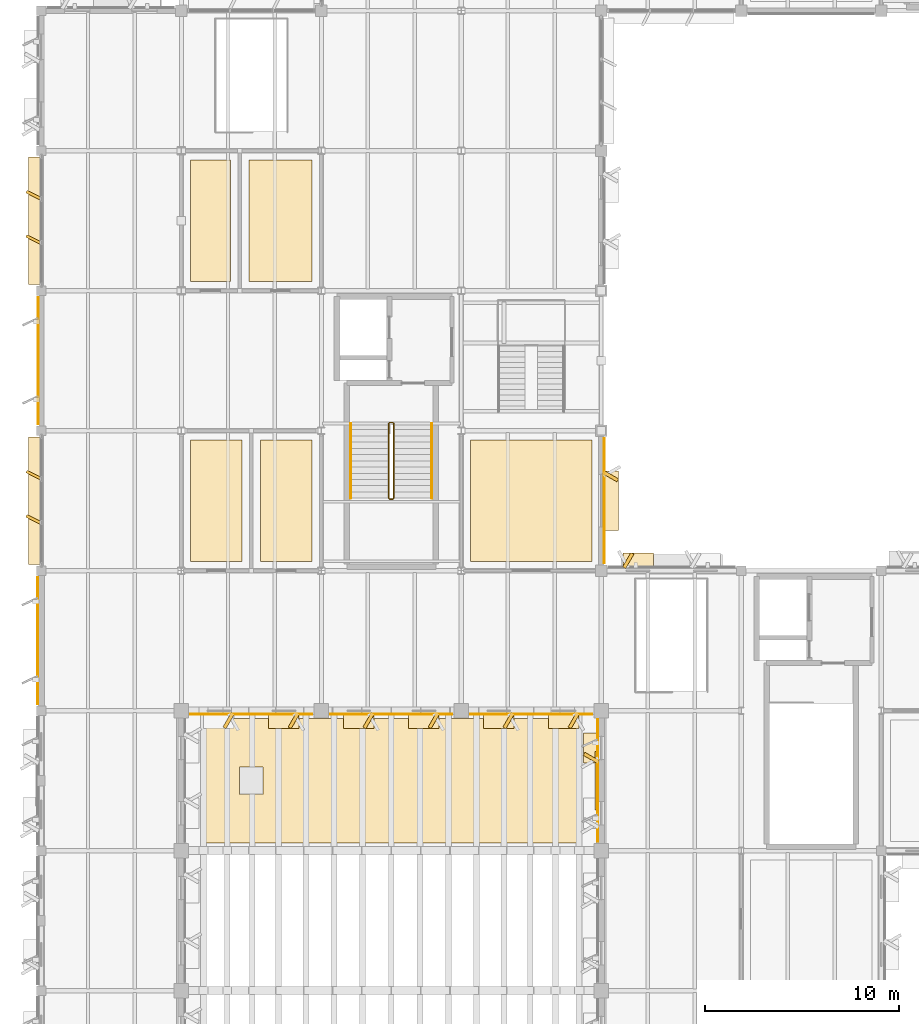
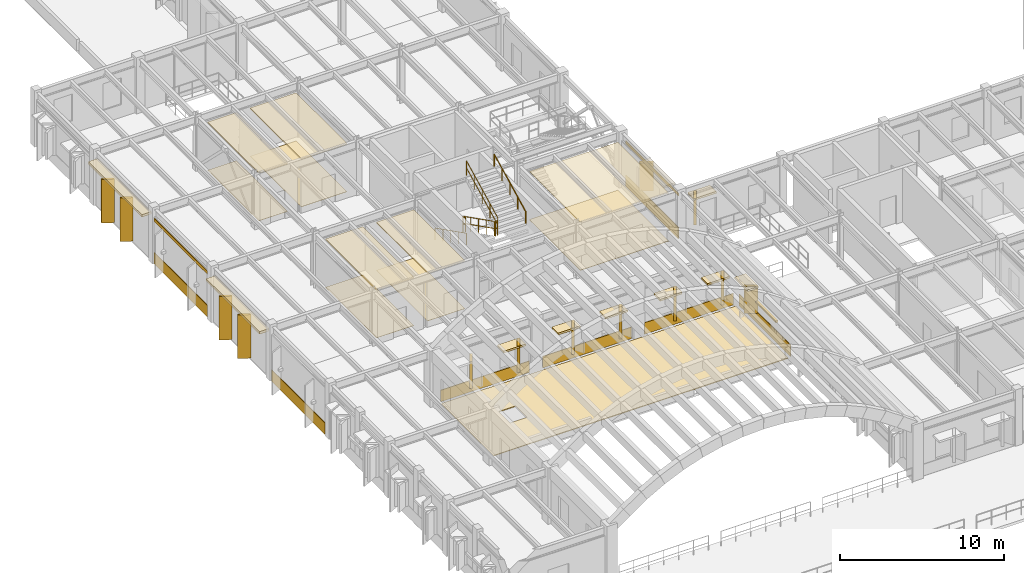
# One storey, part 72 of 85: 43 coverings, 6 railings, 1 shading device.
"""IFC4 building model written with IfcOpenShell, lengths in metres."""

from ifc_helpers import new_model, si_unit, direction, frame, frame_2d, origin, origin_2d, place, context, subcontext, project, spatial, polyline, rectangle, circle, outline, extrude, material, layer, layer_set, type_object, element, save


model = new_model("IFC4")

# Units and contexts
model_context = context("Model", 3, precision=1e-05, world=origin(), true_north=direction((0.0, 1.0)))
body_context = subcontext(model_context, "Body", "Model", "MODEL_VIEW")
ifc_project = project(units=[si_unit("LENGTHUNIT", "METRE"), si_unit("AREAUNIT", "SQUARE_METRE"), si_unit("VOLUMEUNIT", "CUBIC_METRE"), si_unit("PLANEANGLEUNIT", "RADIAN"), si_unit("MASSUNIT", "GRAM", prefix="KILO")], contexts=[model_context])

# Site, building, storey
site_placement = place(None, origin())
site = spatial("IfcSite", under=ifc_project, at=site_placement, CompositionType="ELEMENT")
building_placement = place(site_placement, origin())
building = spatial("IfcBuilding", under=site, at=building_placement, Name="Sillqori Civic Hall", CompositionType="ELEMENT")
storey_placement = place(building_placement, frame((0.0, 0.0, 9.89990234375)))
storey = spatial("IfcBuildingStorey", under=building, at=storey_placement, Name="L03", CompositionType="ELEMENT", Elevation=9.89990234375)

# Coverings
ifc_material_1 = material(Name="Perforated Acoustic Gypsum Board Ceiling", Category="gypsum")
ifc_layer_1 = layer(ifc_material_1, 0.030029296875)
ifc_layer_set_1 = layer_set([ifc_layer_1], Name="Perforated Acoustic Gypsum Board Ceiling")
covering_type_1 = type_object("IfcCoveringType", Name="COV-CEIL-GYP", PredefinedType="CEILING", material=ifc_layer_set_1)
covering_1_placement = place(storey_placement, frame((0.0, 0.0, 3.591064453125)))
element("IfcCovering", 1, at=covering_1_placement, inside=storey, type_object=covering_type_1, Name="Councillors Office Suite West acoustic ceiling", PredefinedType="CEILING", context=body_context, shape_type="SweptSolid", body=[
    extrude(outline(polyline([(29.280029296875, 50.8798828125), (35.52001953125, 50.8798828125), (35.52001953125, 57.1201171875), (29.280029296875, 57.1201171875), (29.280029296875, 50.8798828125)])), origin(), (0.0, 0.0, 1.0), 0.030029296875),
])
ifc_material_2 = material(Name="Perforated Metal Coffer Panel 64", Category="aluminium")
ifc_layer_2 = layer(ifc_material_2, 0.06396484375)
ifc_layer_set_2 = layer_set([ifc_layer_2], Name="Perforated Metal Coffer Panel 64")
covering_type_2 = type_object("IfcCoveringType", Name="COV-CEIL-M64", PredefinedType="CEILING", material=ifc_layer_set_2)
covering_2_placement = place(storey_placement, frame((0.0, 0.0, 3.55712890625)))
element("IfcCovering", 2, at=covering_2_placement, inside=storey, type_object=covering_type_2, Name="L03 Public Male WC acoustic ceiling", PredefinedType="CEILING", context=body_context, shape_type="SweptSolid", body=[
    extrude(outline(polyline([(14.8798828125, 50.8798828125), (17.52001953125, 50.8798828125), (17.52001953125, 57.1201171875), (14.8798828125, 57.1201171875), (14.8798828125, 50.8798828125)])), origin(), (0.0, 0.0, 1.0), 0.06396484375),
])
ifc_material_3 = material(Name="Perforated Metal Coffer Panel 70", Category="aluminium")
ifc_layer_3 = layer(ifc_material_3, 0.070068359375)
ifc_layer_set_3 = layer_set([ifc_layer_3], Name="Perforated Metal Coffer Panel 70")
covering_type_3 = type_object("IfcCoveringType", Name="COV-CEIL-M70", PredefinedType="CEILING", material=ifc_layer_set_3)
covering_3_placement = place(storey_placement, frame((0.0, 0.0, 3.551025390625)))
element("IfcCovering", 3, at=covering_3_placement, inside=storey, type_object=covering_type_3, Name="L03 Public Female WC acoustic ceiling", PredefinedType="CEILING", context=body_context, shape_type="SweptSolid", body=[
    extrude(outline(polyline([(18.47998046875, 50.8798828125), (21.1201171875, 50.8798828125), (21.1201171875, 57.1201171875), (18.47998046875, 57.1201171875), (18.47998046875, 50.8798828125)])), origin(), (0.0, 0.0, 1.0), 0.070068359375),
])
ifc_material_4 = material(Name="Acoustic Wool Metal Plank 76", Category="aluminium")
ifc_layer_4 = layer(ifc_material_4, 0.075927734375)
ifc_layer_set_4 = layer_set([ifc_layer_4], Name="Acoustic Wool Metal Plank 76")
covering_type_4 = type_object("IfcCoveringType", Name="COV-CEIL-M76", PredefinedType="CEILING", material=ifc_layer_set_4)
covering_4_placement = place(storey_placement, frame((0.0, 0.0, 3.545166015625)))
element("IfcCovering", 4, at=covering_4_placement, inside=storey, type_object=covering_type_4, Name="L03 Accessible WC acoustic ceiling", PredefinedType="CEILING", context=body_context, shape_type="SweptSolid", body=[
    extrude(outline(polyline([(14.8798828125, 65.280029296875), (16.919921875, 65.280029296875), (16.919921875, 71.52001953125), (14.8798828125, 71.52001953125), (14.8798828125, 65.280029296875)])), origin(), (0.0, 0.0, 1.0), 0.075927734375),
])
ifc_material_5 = material(Name="Chamber Acoustic Coffer Liner 84", Category="timber")
ifc_layer_5 = layer(ifc_material_5, 0.083984375)
ifc_layer_set_5 = layer_set([ifc_layer_5], Name="Chamber Acoustic Coffer Liner 84")
covering_type_5 = type_object("IfcCoveringType", Name="COV-CEIL-M84", PredefinedType="CEILING", material=ifc_layer_set_5)
covering_5_placement = place(storey_placement, frame((0.0, 0.0, 3.537109375)))
element("IfcCovering", 5, at=covering_5_placement, inside=storey, type_object=covering_type_5, Name="L03 Staff Sanitary and Cleaners Room acoustic ceiling", PredefinedType="CEILING", context=body_context, shape_type="SweptSolid", body=[
    extrude(outline(polyline([(17.8798828125, 65.280029296875), (21.1201171875, 65.280029296875), (21.1201171875, 71.52001953125), (17.8798828125, 71.52001953125), (17.8798828125, 65.280029296875)])), origin(), (0.0, 0.0, 1.0), 0.083984375),
])
ifc_material_6 = material(Name="Cochabamba Honed Limestone Cladding", Category="masonry")
ifc_layer_6 = layer(ifc_material_6, 0.044921875)
ifc_layer_set_6 = layer_set([ifc_layer_6], Name="Cochabamba Honed Limestone Cladding")
covering_type_6 = type_object("IfcCoveringType", Name="COV-CLAD-LIME", PredefinedType="CLADDING", material=ifc_layer_set_6)
covering_6_placement = place(storey_placement, frame((7.010009765625, 43.530029296875, 0.0400390625), z_axis=(0.0, 0.0, 1.0), x_axis=(0.0, 1.0, 0.0)))
element("IfcCovering", 6, at=covering_6_placement, inside=storey, type_object=covering_type_6, Name="L03 limestone spandrel cladding L03-01-06-W", PredefinedType="CLADDING", context=body_context, shape_type="SweptSolid", body=[
    extrude(rectangle(XDim=6.5400390625, YDim=0.044921875, at=frame_2d((3.27001953125, 0.0))), origin(), (0.0, 0.0, 1.0), 0.860107421875),
])
covering_7_placement = place(storey_placement, frame((6.8798828125, 50.72998046875, 3.30712890625), z_axis=(0.0, 0.0, 1.0), x_axis=(0.0, 1.0, 0.0)))
element("IfcCovering", 7, at=covering_7_placement, inside=storey, type_object=covering_type_6, Name="L03 curtain-wall limestone solar hood L03-01-07-W", PredefinedType="CLADDING", context=body_context, shape_type="SweptSolid", body=[
    extrude(rectangle(XDim=6.5400390625, YDim=0.679931640625, at=frame_2d((3.27001953125, 0.0))), origin(), (0.0, 0.0, 1.0), 0.179931640625),
])
for number, where, z_axis, x_axis, name in (
    (8, (7.14990234375, 52.861083984375, 0.06005859375), (0.0, 0.0, 1.0), (-0.894487846579, 0.44709226377, 0.0), "L03 curtain-wall angled stone fin L03-01-07-W.1"),
    (9, (7.14990234375, 55.138916015625, 0.06005859375), (0.0, 0.0, 1.0), (-0.894366527193, 0.447334902547, 0.0), "L03 curtain-wall angled stone fin L03-01-07-W.2"),
):
    element("IfcCovering", number, at=place(storey_placement, frame(where, z_axis=z_axis, x_axis=x_axis)), inside=storey, type_object=covering_type_6, Name=name, PredefinedType="CLADDING", context=body_context, shape_type="SweptSolid", body=[
        extrude(rectangle(XDim=0.804931640625, YDim=0.139892578125, at=frame_2d((0.40234375, 0.0))), origin(), (0.0, 0.0, 1.0), 3.2470703125),
    ])
covering_8_placement = place(storey_placement, frame((7.050048828125, 57.929931640625, 0.0400390625), z_axis=(0.0, 0.0, 1.0), x_axis=(0.0, 1.0, 0.0)))
element("IfcCovering", 10, at=covering_8_placement, inside=storey, type_object=covering_type_6, Name="L03 limestone spandrel cladding L03-01-08-W", PredefinedType="CLADDING", context=body_context, shape_type="SweptSolid", body=[
    extrude(rectangle(XDim=6.5400390625, YDim=0.044921875, at=frame_2d((3.27001953125, 0.0))), origin(), (0.0, 0.0, 1.0), 0.860107421875),
])
covering_9_placement = place(storey_placement, frame((7.050048828125, 57.929931640625, 3.22021484375), z_axis=(0.0, 0.0, 1.0), x_axis=(0.0, 1.0, 0.0)))
element("IfcCovering", 11, at=covering_9_placement, inside=storey, type_object=covering_type_6, Name="L03 limestone frieze cladding L03-01-08-W", PredefinedType="CLADDING", context=body_context, shape_type="SweptSolid", body=[
    extrude(rectangle(XDim=6.5400390625, YDim=0.044921875, at=frame_2d((3.27001953125, 0.0))), origin(), (0.0, 0.0, 1.0), 0.226806640625),
])
covering_10_placement = place(storey_placement, frame((6.8798828125, 65.1298828125, 3.30712890625), z_axis=(0.0, 0.0, 1.0), x_axis=(0.0, 1.0, 0.0)))
element("IfcCovering", 12, at=covering_10_placement, inside=storey, type_object=covering_type_6, Name="L03 curtain-wall limestone solar hood L03-01-09-W", PredefinedType="CLADDING", context=body_context, shape_type="SweptSolid", body=[
    extrude(rectangle(XDim=6.5400390625, YDim=0.679931640625, at=frame_2d((3.27001953125, 0.0))), origin(), (0.0, 0.0, 1.0), 0.179931640625),
])
for number, where, z_axis, x_axis, name in (
    (13, (7.14990234375, 67.260986328125, 0.06005859375), (0.0, 0.0, 1.0), (-0.894366527193, 0.447334902547, 0.0), "L03 curtain-wall angled stone fin L03-01-09-W.1"),
    (14, (7.14990234375, 69.5390625, 0.06005859375), (0.0, 0.0, 1.0), (-0.894487846579, 0.44709226377, 0.0), "L03 curtain-wall angled stone fin L03-01-09-W.2"),
):
    element("IfcCovering", number, at=place(storey_placement, frame(where, z_axis=z_axis, x_axis=x_axis)), inside=storey, type_object=covering_type_6, Name=name, PredefinedType="CLADDING", context=body_context, shape_type="SweptSolid", body=[
        extrude(rectangle(XDim=0.804931640625, YDim=0.139892578125, at=frame_2d((0.40234375, 0.0))), origin(), (0.0, 0.0, 1.0), 3.2470703125),
    ])
covering_11_placement = place(storey_placement, frame((21.14501953125, 43.010009765625, 0.0400390625), z_axis=(0.0, 0.0, 1.0), x_axis=(-1.0, 0.0, 0.0)))
element("IfcCovering", 15, at=covering_11_placement, inside=storey, type_object=covering_type_6, Name="L03 limestone spandrel cladding L03-02-06-S", PredefinedType="CLADDING", context=body_context, shape_type="SweptSolid", body=[
    extrude(rectangle(XDim=6.2900390625, YDim=0.044921875, at=frame_2d((3.14501953125, 0.0))), origin(), (0.0, 0.0, 1.0), 0.860107421875),
])
covering_12_placement = place(storey_placement, frame((20.39697265625, 43.050048828125, 0.830078125), z_axis=(0.0, 0.0, 1.0), x_axis=(-0.500062241894, -0.865989465428, 0.0)))
element("IfcCovering", 16, at=covering_12_placement, inside=storey, type_object=covering_type_6, Name="Sawtooth limestone angled reveal cheek L03-02-06-S.1", PredefinedType="CLADDING", context=body_context, shape_type="SweptSolid", body=[
    extrude(rectangle(XDim=0.85009765625, YDim=0.179931640625, at=frame_2d((0.425048828125, 0.0))), origin(), (0.0, 0.0, 1.0), 2.0),
])
covering_13_placement = place(storey_placement, frame((20.45703125, 42.669921875, 2.690185546875), z_axis=(0.0, 0.0, 1.0), x_axis=(-1.0, 0.0, 0.0)))
element("IfcCovering", 17, at=covering_13_placement, inside=storey, type_object=covering_type_6, Name="Sawtooth limestone window hood L03-02-06-S.1", PredefinedType="CLADDING", context=body_context, shape_type="SweptSolid", body=[
    extrude(rectangle(XDim=1.56005859375, YDim=0.780029296875, at=frame_2d((0.780029296875, 0.0))), origin(), (0.0, 0.0, 1.0), 0.139892578125),
])
covering_14_placement = place(storey_placement, frame((17.04296875, 43.050048828125, 0.830078125), z_axis=(0.0, 0.0, 1.0), x_axis=(-0.500062241894, -0.865989465428, 0.0)))
element("IfcCovering", 18, at=covering_14_placement, inside=storey, type_object=covering_type_6, Name="Sawtooth limestone angled reveal cheek L03-02-06-S.2", PredefinedType="CLADDING", context=body_context, shape_type="SweptSolid", body=[
    extrude(rectangle(XDim=0.85009765625, YDim=0.179931640625, at=frame_2d((0.425048828125, 0.0))), origin(), (0.0, 0.0, 1.0), 2.0),
])
covering_15_placement = place(storey_placement, frame((28.344970703125, 43.010009765625, 0.0400390625), z_axis=(0.0, 0.0, 1.0), x_axis=(-1.0, 0.0, 0.0)))
element("IfcCovering", 19, at=covering_15_placement, inside=storey, type_object=covering_type_6, Name="L03 limestone spandrel cladding L03-03-06-S", PredefinedType="CLADDING", context=body_context, shape_type="SweptSolid", body=[
    extrude(rectangle(XDim=6.2900390625, YDim=0.044921875, at=frame_2d((3.14501953125, 0.0))), origin(), (0.0, 0.0, 1.0), 0.860107421875),
])
covering_16_placement = place(storey_placement, frame((27.596923828125, 43.050048828125, 0.830078125), z_axis=(0.0, 0.0, 1.0), x_axis=(-0.499846793097, -0.866113839764, 0.0)))
element("IfcCovering", 20, at=covering_16_placement, inside=storey, type_object=covering_type_6, Name="Sawtooth limestone angled reveal cheek L03-03-06-S.1", PredefinedType="CLADDING", context=body_context, shape_type="SweptSolid", body=[
    extrude(rectangle(XDim=0.849853515625, YDim=0.179931640625, at=frame_2d((0.4248046875, 0.0))), origin(), (0.0, 0.0, 1.0), 2.0),
])
covering_17_placement = place(storey_placement, frame((27.656982421875, 42.669921875, 2.690185546875), z_axis=(0.0, 0.0, 1.0), x_axis=(-1.0, 0.0, 0.0)))
element("IfcCovering", 21, at=covering_17_placement, inside=storey, type_object=covering_type_6, Name="Sawtooth limestone window hood L03-03-06-S.1", PredefinedType="CLADDING", context=body_context, shape_type="SweptSolid", body=[
    extrude(rectangle(XDim=1.56005859375, YDim=0.780029296875, at=frame_2d((0.780029296875, 0.0))), origin(), (0.0, 0.0, 1.0), 0.139892578125),
])
covering_18_placement = place(storey_placement, frame((24.242919921875, 43.050048828125, 0.830078125), z_axis=(0.0, 0.0, 1.0), x_axis=(-0.499846793097, -0.866113839764, 0.0)))
element("IfcCovering", 22, at=covering_18_placement, inside=storey, type_object=covering_type_6, Name="Sawtooth limestone angled reveal cheek L03-03-06-S.2", PredefinedType="CLADDING", context=body_context, shape_type="SweptSolid", body=[
    extrude(rectangle(XDim=0.849853515625, YDim=0.179931640625, at=frame_2d((0.4248046875, 0.0))), origin(), (0.0, 0.0, 1.0), 2.0),
])
covering_19_placement = place(storey_placement, frame((24.302978515625, 42.669921875, 2.690185546875), z_axis=(0.0, 0.0, 1.0), x_axis=(-1.0, 0.0, 0.0)))
element("IfcCovering", 23, at=covering_19_placement, inside=storey, type_object=covering_type_6, Name="Sawtooth limestone window hood L03-03-06-S.2", PredefinedType="CLADDING", context=body_context, shape_type="SweptSolid", body=[
    extrude(rectangle(XDim=1.56005859375, YDim=0.780029296875, at=frame_2d((0.780029296875, 0.0))), origin(), (0.0, 0.0, 1.0), 0.139892578125),
])
covering_20_placement = place(storey_placement, frame((35.544921875, 43.010009765625, 0.0400390625), z_axis=(0.0, 0.0, 1.0), x_axis=(-1.0, 0.0, 0.0)))
element("IfcCovering", 24, at=covering_20_placement, inside=storey, type_object=covering_type_6, Name="L03 limestone spandrel cladding L03-04-06-S", PredefinedType="CLADDING", context=body_context, shape_type="SweptSolid", body=[
    extrude(rectangle(XDim=6.2900390625, YDim=0.044921875, at=frame_2d((3.14501953125, 0.0))), origin(), (0.0, 0.0, 1.0), 0.860107421875),
])
covering_21_placement = place(storey_placement, frame((34.797119140625, 43.050048828125, 0.830078125), z_axis=(0.0, 0.0, 1.0), x_axis=(-0.500062241894, -0.865989465428, 0.0)))
element("IfcCovering", 25, at=covering_21_placement, inside=storey, type_object=covering_type_6, Name="Sawtooth limestone angled reveal cheek L03-04-06-S.1", PredefinedType="CLADDING", context=body_context, shape_type="SweptSolid", body=[
    extrude(rectangle(XDim=0.85009765625, YDim=0.179931640625, at=frame_2d((0.425048828125, 0.0))), origin(), (0.0, 0.0, 1.0), 2.0),
])
covering_22_placement = place(storey_placement, frame((34.85693359375, 42.669921875, 2.690185546875), z_axis=(0.0, 0.0, 1.0), x_axis=(-1.0, 0.0, 0.0)))
element("IfcCovering", 26, at=covering_22_placement, inside=storey, type_object=covering_type_6, Name="Sawtooth limestone window hood L03-04-06-S.1", PredefinedType="CLADDING", context=body_context, shape_type="SweptSolid", body=[
    extrude(rectangle(XDim=1.559814453125, YDim=0.780029296875, at=frame_2d((0.77978515625, 0.0))), origin(), (0.0, 0.0, 1.0), 0.139892578125),
])
covering_23_placement = place(storey_placement, frame((31.443115234375, 43.050048828125, 0.830078125), z_axis=(0.0, 0.0, 1.0), x_axis=(-0.500062241894, -0.865989465428, 0.0)))
element("IfcCovering", 27, at=covering_23_placement, inside=storey, type_object=covering_type_6, Name="Sawtooth limestone angled reveal cheek L03-04-06-S.2", PredefinedType="CLADDING", context=body_context, shape_type="SweptSolid", body=[
    extrude(rectangle(XDim=0.85009765625, YDim=0.179931640625, at=frame_2d((0.425048828125, 0.0))), origin(), (0.0, 0.0, 1.0), 2.0),
])
covering_24_placement = place(storey_placement, frame((31.5029296875, 42.669921875, 2.690185546875), z_axis=(0.0, 0.0, 1.0), x_axis=(-1.0, 0.0, 0.0)))
element("IfcCovering", 28, at=covering_24_placement, inside=storey, type_object=covering_type_6, Name="Sawtooth limestone window hood L03-04-06-S.2", PredefinedType="CLADDING", context=body_context, shape_type="SweptSolid", body=[
    extrude(rectangle(XDim=1.559814453125, YDim=0.780029296875, at=frame_2d((0.77978515625, 0.0))), origin(), (0.0, 0.0, 1.0), 0.139892578125),
])
covering_25_placement = place(storey_placement, frame((36.14990234375, 57.219970703125, 0.0400390625), z_axis=(0.0, 0.0, 1.0), x_axis=(0.0, -1.0, 0.0)))
element("IfcCovering", 29, at=covering_25_placement, inside=storey, type_object=covering_type_6, Name="L03 limestone spandrel cladding L03-04-07-E", PredefinedType="CLADDING", context=body_context, shape_type="SweptSolid", body=[
    extrude(rectangle(XDim=6.43994140625, YDim=0.044921875, at=frame_2d((3.219970703125, 0.0))), origin(), (0.0, 0.0, 1.0), 0.860107421875),
])
covering_26_placement = place(storey_placement, frame((36.14990234375, 57.219970703125, 3.22021484375), z_axis=(0.0, 0.0, 1.0), x_axis=(0.0, -1.0, 0.0)))
element("IfcCovering", 30, at=covering_26_placement, inside=storey, type_object=covering_type_6, Name="L03 limestone frieze cladding L03-04-07-E", PredefinedType="CLADDING", context=body_context, shape_type="SweptSolid", body=[
    extrude(rectangle(XDim=6.43994140625, YDim=0.044921875, at=frame_2d((3.219970703125, 0.0))), origin(), (0.0, 0.0, 1.0), 0.226806640625),
])
covering_27_placement = place(storey_placement, frame((36.110107421875, 55.469970703125, 0.830078125), z_axis=(0.0, 0.0, 1.0), x_axis=(0.865989465428, -0.500062241894, 0.0)))
element("IfcCovering", 31, at=covering_27_placement, inside=storey, type_object=covering_type_6, Name="Sawtooth limestone angled reveal cheek L03-04-07-E.1", PredefinedType="CLADDING", context=body_context, shape_type="SweptSolid", body=[
    extrude(rectangle(XDim=0.85009765625, YDim=0.179931640625, at=frame_2d((0.425048828125, 0.0))), origin(), (0.0, 0.0, 1.0), 2.10009765625),
])
covering_28_placement = place(storey_placement, frame((36.489990234375, 55.530029296875, 2.7900390625), z_axis=(0.0, 0.0, 1.0), x_axis=(0.0, -1.0, 0.0)))
element("IfcCovering", 32, at=covering_28_placement, inside=storey, type_object=covering_type_6, Name="Sawtooth limestone window hood L03-04-07-E.1", PredefinedType="CLADDING", context=body_context, shape_type="SweptSolid", body=[
    extrude(rectangle(XDim=3.06005859375, YDim=0.780029296875, at=frame_2d((1.530029296875, 0.0))), origin(), (0.0, 0.0, 1.0), 0.14013671875),
])
covering_29_placement = place(storey_placement, frame((35.81005859375, 36.455078125, 0.0400390625), z_axis=(0.0, 0.0, 1.0), x_axis=(0.0, 1.0, 0.0)))
element("IfcCovering", 33, at=covering_29_placement, inside=storey, type_object=covering_type_6, Name="L03 limestone spandrel cladding L03-05-05-W", PredefinedType="CLADDING", context=body_context, shape_type="SweptSolid", body=[
    extrude(rectangle(XDim=6.2900390625, YDim=0.044921875, at=frame_2d((3.14501953125, 0.0))), origin(), (0.0, 0.0, 1.0), 0.860107421875),
])
covering_30_placement = place(storey_placement, frame((35.85009765625, 40.556884765625, 0.830078125), z_axis=(0.0, 0.0, 1.0), x_axis=(-0.865989465428, 0.500062241894, 0.0)))
element("IfcCovering", 34, at=covering_30_placement, inside=storey, type_object=covering_type_6, Name="Sawtooth limestone angled reveal cheek L03-05-05-W.2", PredefinedType="CLADDING", context=body_context, shape_type="SweptSolid", body=[
    extrude(rectangle(XDim=0.85009765625, YDim=0.179931640625, at=frame_2d((0.425048828125, 0.0))), origin(), (0.0, 0.0, 1.0), 2.0),
])
covering_31_placement = place(storey_placement, frame((35.469970703125, 40.4970703125, 2.690185546875), z_axis=(0.0, 0.0, 1.0), x_axis=(0.0, 1.0, 0.0)))
element("IfcCovering", 35, at=covering_31_placement, inside=storey, type_object=covering_type_6, Name="Sawtooth limestone window hood L03-05-05-W.2", PredefinedType="CLADDING", context=body_context, shape_type="SweptSolid", body=[
    extrude(rectangle(XDim=1.559814453125, YDim=0.780029296875, at=frame_2d((0.77978515625, 0.0))), origin(), (0.0, 0.0, 1.0), 0.139892578125),
])
covering_32_placement = place(storey_placement, frame((37.176025390625, 50.550048828125, 0.830078125), z_axis=(0.0, 0.0, 1.0), x_axis=(0.500062241894, 0.865989465428, 0.0)))
element("IfcCovering", 36, at=covering_32_placement, inside=storey, type_object=covering_type_6, Name="Sawtooth limestone angled reveal cheek L03-05-06-N.1", PredefinedType="CLADDING", context=body_context, shape_type="SweptSolid", body=[
    extrude(rectangle(XDim=0.85009765625, YDim=0.179931640625, at=frame_2d((0.425048828125, 0.0))), origin(), (0.0, 0.0, 1.0), 2.0),
])
covering_33_placement = place(storey_placement, frame((37.115966796875, 50.929931640625, 2.690185546875), z_axis=(0.0, 0.0, 1.0), x_axis=(1.0, 0.0, 0.0)))
element("IfcCovering", 37, at=covering_33_placement, inside=storey, type_object=covering_type_6, Name="Sawtooth limestone window hood L03-05-06-N.1", PredefinedType="CLADDING", context=body_context, shape_type="SweptSolid", body=[
    extrude(rectangle(XDim=1.56005859375, YDim=0.780029296875, at=frame_2d((0.780029296875, 0.0))), origin(), (0.0, 0.0, 1.0), 0.139892578125),
])
ifc_material_7 = material(Name="Slip-Resistant R11 Porcelain Tile", Category="ceramic")
ifc_layer_7 = layer(ifc_material_7, 0.02001953125)
ifc_layer_set_7 = layer_set([ifc_layer_7], Name="Slip-Resistant R11 Porcelain Tile")
covering_type_7 = type_object("IfcCoveringType", Name="COV-FLR-POR", PredefinedType="FLOORING", material=ifc_layer_set_7)
covering_34_placement = place(storey_placement, origin())
element("IfcCovering", 38, at=covering_34_placement, inside=storey, type_object=covering_type_7, Name="L03 Public Male WC floor finish", PredefinedType="FLOORING", context=body_context, shape_type="SweptSolid", body=[
    extrude(outline(polyline([(14.8798828125, 50.8798828125), (17.52001953125, 50.8798828125), (17.52001953125, 57.1201171875), (14.8798828125, 57.1201171875), (14.8798828125, 50.8798828125)])), origin(), (0.0, 0.0, 1.0), 0.02001953125),
])
covering_35_placement = place(storey_placement, origin())
element("IfcCovering", 39, at=covering_35_placement, inside=storey, type_object=covering_type_7, Name="L03 Public Female WC floor finish", PredefinedType="FLOORING", context=body_context, shape_type="SweptSolid", body=[
    extrude(outline(polyline([(18.47998046875, 50.8798828125), (21.1201171875, 50.8798828125), (21.1201171875, 57.1201171875), (18.47998046875, 57.1201171875), (18.47998046875, 50.8798828125)])), origin(), (0.0, 0.0, 1.0), 0.02001953125),
])
covering_36_placement = place(storey_placement, origin())
element("IfcCovering", 40, at=covering_36_placement, inside=storey, type_object=covering_type_7, Name="L03 Accessible WC floor finish", PredefinedType="FLOORING", context=body_context, shape_type="SweptSolid", body=[
    extrude(outline(polyline([(14.8798828125, 65.280029296875), (16.919921875, 65.280029296875), (16.919921875, 71.52001953125), (14.8798828125, 71.52001953125), (14.8798828125, 65.280029296875)])), origin(), (0.0, 0.0, 1.0), 0.02001953125),
])
covering_37_placement = place(storey_placement, origin())
element("IfcCovering", 41, at=covering_37_placement, inside=storey, type_object=covering_type_7, Name="L03 Staff Sanitary and Cleaners Room floor finish", PredefinedType="FLOORING", context=body_context, shape_type="SweptSolid", body=[
    extrude(outline(polyline([(17.8798828125, 65.280029296875), (21.1201171875, 65.280029296875), (21.1201171875, 71.52001953125), (17.8798828125, 71.52001953125), (17.8798828125, 65.280029296875)])), origin(), (0.0, 0.0, 1.0), 0.02001953125),
])
ifc_material_8 = material(Name="Honed Cochabamba Limestone Terrazzo", Category="masonry")
ifc_layer_8 = layer(ifc_material_8, 0.031982421875)
ifc_layer_set_8 = layer_set([ifc_layer_8], Name="Honed Cochabamba Limestone Terrazzo")
covering_type_8 = type_object("IfcCoveringType", Name="COV-FLR-TRZ", PredefinedType="FLOORING", material=ifc_layer_set_8)
covering_38_placement = place(storey_placement, origin())
element("IfcCovering", 42, at=covering_38_placement, inside=storey, type_object=covering_type_8, Name="Councillors Office Suite West floor finish", PredefinedType="FLOORING", context=body_context, shape_type="SweptSolid", body=[
    extrude(outline(polyline([(29.280029296875, 50.8798828125), (35.52001953125, 50.8798828125), (35.52001953125, 57.1201171875), (29.280029296875, 57.1201171875), (29.280029296875, 50.8798828125)])), origin(), (0.0, 0.0, 1.0), 0.031982421875),
])
ifc_material_9 = material(Name="Insulated Standing-Seam Solar Roof Membrane", Category="membrane")
ifc_layer_9 = layer(ifc_material_9, 0.054931640625)
ifc_layer_set_9 = layer_set([ifc_layer_9], Name="Insulated Standing-Seam Solar Roof Membrane")
covering_type_9 = type_object("IfcCoveringType", Name="COV-ROOF-TPO", PredefinedType="ROOFING", material=ifc_layer_set_9)
covering_39_placement = place(storey_placement, origin())
element("IfcCovering", 43, at=covering_39_placement, inside=storey, type_object=covering_type_9, Name="L03 insulated TPO roof membrane ROOF-FLAT-L02-2", PredefinedType="ROOFING", context=body_context, shape_type="SweptSolid", body=[
    extrude(outline(polyline([(14.800048828125, 36.39990234375), (35.60009765625, 36.39990234375), (35.60009765625, 42.800048828125), (14.800048828125, 42.800048828125), (14.800048828125, 36.39990234375)]), holes=[polyline([(17.39990234375, 38.89990234375), (17.39990234375, 40.300048828125), (18.60009765625, 40.300048828125), (18.60009765625, 38.89990234375), (17.39990234375, 38.89990234375)])]), origin(), (0.0, 0.0, 1.0), 0.05517578125),
])

# Railings
ifc_material_10 = material(Name="Brushed Stainless Steel 316 Handrail", Category="steel")
ifc_layer_10 = layer(ifc_material_10, 0.044921875)
ifc_layer_set_10 = layer_set([ifc_layer_10], Name="Brushed Stainless Steel 316 Handrail")
railing_type_1 = type_object("IfcRailingType", Name="RLG-CORE-092", PredefinedType="HANDRAIL", material=ifc_layer_set_10)
railing_1_placement = place(storey_placement, frame((23.110107421875, 57.969970703125, 0.16162109375)))
element("IfcRailing", 44, at=railing_1_placement, inside=storey, type_object=railing_type_1, Name="L03 ST-04 stair handrail 1", PredefinedType="HANDRAIL", context=body_context, shape_type="SweptSolid", body=[
    extrude(circle(Radius=0.02392578125, at=origin_2d()), frame((0.0, 0.0, 0.8759765625), z_axis=(0.0, -0.892706606903, 0.450638340569), x_axis=(1.0, 0.0, 0.0)), (0.0, 0.0, 1.0), 4.301513671875),
    extrude(circle(Radius=0.02099609375, at=origin_2d()), origin(), (0.0, 0.0, 1.0), 0.851806640625),
    extrude(circle(Radius=0.02099609375, at=origin_2d()), frame((0.0, -0.9599609375, 0.484619140625)), (0.0, 0.0, 1.0), 0.851806640625),
    extrude(circle(Radius=0.02099609375, at=origin_2d()), frame((0.0, -1.919921875, 0.96923828125)), (0.0, 0.0, 1.0), 0.851806640625),
    extrude(circle(Radius=0.02099609375, at=origin_2d()), frame((0.0, -2.880126953125, 1.453857421875)), (0.0, 0.0, 1.0), 0.851806640625),
    extrude(circle(Radius=0.02099609375, at=origin_2d()), frame((0.0, -3.840087890625, 1.9384765625)), (0.0, 0.0, 1.0), 0.851806640625),
])
railing_2_placement = place(storey_placement, frame((27.2900390625, 54.1298828125, 2.26171875)))
element("IfcRailing", 45, at=railing_2_placement, inside=storey, type_object=railing_type_1, Name="L03 ST-04 stair handrail 2", PredefinedType="HANDRAIL", context=body_context, shape_type="SweptSolid", body=[
    extrude(circle(Radius=0.02392578125, at=origin_2d()), frame((0.0, 0.0, 0.8759765625), z_axis=(0.0, 0.892706606903, 0.450638340569), x_axis=(-1.0, 0.0, 0.0)), (0.0, 0.0, 1.0), 4.301513671875),
    extrude(circle(Radius=0.02099609375, at=origin_2d()), origin(), (0.0, 0.0, 1.0), 0.851806640625),
    extrude(circle(Radius=0.02099609375, at=origin_2d()), frame((0.0, 0.9599609375, 0.484619140625)), (0.0, 0.0, 1.0), 0.851806640625),
    extrude(circle(Radius=0.02099609375, at=origin_2d()), frame((0.0, 1.919921875, 0.96923828125)), (0.0, 0.0, 1.0), 0.851806640625),
    extrude(circle(Radius=0.02099609375, at=origin_2d()), frame((0.0, 2.880126953125, 1.453857421875)), (0.0, 0.0, 1.0), 0.851806640625),
    extrude(circle(Radius=0.02099609375, at=origin_2d()), frame((0.0, 3.840087890625, 1.9384765625)), (0.0, 0.0, 1.0), 0.851806640625),
])
ifc_material_11 = material(Name="Galvanized Painted Steel Guardrail", Category="steel")
ifc_layer_11 = layer(ifc_material_11, 0.050048828125)
ifc_layer_set_11 = layer_set([ifc_layer_11], Name="Galvanized Painted Steel Guardrail")
railing_type_2 = type_object("IfcRailingType", Name="RLG-CORE-110", PredefinedType="GUARDRAIL", material=ifc_layer_set_11)
railing_3_placement = place(storey_placement, frame((25.070068359375, 57.969970703125, 0.16162109375)))
element("IfcRailing", 46, at=railing_3_placement, inside=storey, type_object=railing_type_2, Name="L03 ST-04 stair guard 1", PredefinedType="GUARDRAIL", context=body_context, shape_type="SweptSolid", body=[
    extrude(circle(Radius=0.02392578125, at=origin_2d()), frame((0.0, 0.0, 1.076171875), z_axis=(0.0, -0.892706606903, 0.450638340569), x_axis=(1.0, 0.0, 0.0)), (0.0, 0.0, 1.0), 4.301513671875),
    extrude(circle(Radius=0.02392578125, at=origin_2d()), frame((0.0, 0.0, 0.550048828125), z_axis=(0.0, -0.892706606903, 0.450638340569), x_axis=(1.0, 0.0, 0.0)), (0.0, 0.0, 1.0), 4.301513671875),
    extrude(circle(Radius=0.02099609375, at=origin_2d()), origin(), (0.0, 0.0, 1.0), 1.052001953125),
    extrude(circle(Radius=0.02099609375, at=origin_2d()), frame((0.0, -0.9599609375, 0.484619140625)), (0.0, 0.0, 1.0), 1.052001953125),
    extrude(circle(Radius=0.02099609375, at=origin_2d()), frame((0.0, -1.919921875, 0.96923828125)), (0.0, 0.0, 1.0), 1.052001953125),
    extrude(circle(Radius=0.02099609375, at=origin_2d()), frame((0.0, -2.880126953125, 1.453857421875)), (0.0, 0.0, 1.0), 1.052001953125),
    extrude(circle(Radius=0.02099609375, at=origin_2d()), frame((0.0, -3.840087890625, 1.9384765625)), (0.0, 0.0, 1.0), 1.052001953125),
])
railing_4_placement = place(storey_placement, frame((25.1201171875, 54.080078125, 2.10009765625)))
element("IfcRailing", 47, at=railing_4_placement, inside=storey, type_object=railing_type_2, Name="L03 ST-04 stair guard 2", PredefinedType="GUARDRAIL", context=body_context, shape_type="SweptSolid", body=[
    extrude(circle(Radius=0.02392578125, at=origin_2d()), frame((0.0, 0.0, 1.076171875), z_axis=(1.0, 0.0, 0.0), x_axis=(0.0, 1.0, 0.0)), (0.0, 0.0, 1.0), 0.159912109375),
    extrude(circle(Radius=0.02392578125, at=origin_2d()), frame((0.0, 0.0, 0.550048828125), z_axis=(1.0, 0.0, 0.0), x_axis=(0.0, 1.0, 0.0)), (0.0, 0.0, 1.0), 0.159912109375),
    extrude(circle(Radius=0.02099609375, at=origin_2d()), origin(), (0.0, 0.0, 1.0), 1.052001953125),
    extrude(circle(Radius=0.02099609375, at=origin_2d()), frame((0.159912109375, 0.0, 0.0)), (0.0, 0.0, 1.0), 1.052001953125),
])
railing_5_placement = place(storey_placement, frame((25.330078125, 54.1298828125, 2.26171875)))
element("IfcRailing", 48, at=railing_5_placement, inside=storey, type_object=railing_type_2, Name="L03 ST-04 stair guard 3", PredefinedType="GUARDRAIL", context=body_context, shape_type="SweptSolid", body=[
    extrude(circle(Radius=0.02392578125, at=origin_2d()), frame((0.0, 0.0, 1.076171875), z_axis=(0.0, 0.892706606903, 0.450638340569), x_axis=(-1.0, 0.0, 0.0)), (0.0, 0.0, 1.0), 4.301513671875),
    extrude(circle(Radius=0.02392578125, at=origin_2d()), frame((0.0, 0.0, 0.550048828125), z_axis=(0.0, 0.892706606903, 0.450638340569), x_axis=(-1.0, 0.0, 0.0)), (0.0, 0.0, 1.0), 4.301513671875),
    extrude(circle(Radius=0.02099609375, at=origin_2d()), origin(), (0.0, 0.0, 1.0), 1.052001953125),
    extrude(circle(Radius=0.02099609375, at=origin_2d()), frame((0.0, 0.9599609375, 0.484619140625)), (0.0, 0.0, 1.0), 1.052001953125),
    extrude(circle(Radius=0.02099609375, at=origin_2d()), frame((0.0, 1.919921875, 0.96923828125)), (0.0, 0.0, 1.0), 1.052001953125),
    extrude(circle(Radius=0.02099609375, at=origin_2d()), frame((0.0, 2.880126953125, 1.453857421875)), (0.0, 0.0, 1.0), 1.052001953125),
    extrude(circle(Radius=0.02099609375, at=origin_2d()), frame((0.0, 3.840087890625, 1.9384765625)), (0.0, 0.0, 1.0), 1.052001953125),
])
railing_6_placement = place(storey_placement, frame((25.1201171875, 58.02001953125, 0.0)))
element("IfcRailing", 49, at=railing_6_placement, inside=storey, type_object=railing_type_2, Name="L03 ST-04 stair guard 4", PredefinedType="GUARDRAIL", context=body_context, shape_type="SweptSolid", body=[
    extrude(circle(Radius=0.02392578125, at=origin_2d()), frame((0.0, 0.0, 1.076171875), z_axis=(1.0, 0.0, 0.0), x_axis=(0.0, 1.0, 0.0)), (0.0, 0.0, 1.0), 0.159912109375),
    extrude(circle(Radius=0.02392578125, at=origin_2d()), frame((0.0, 0.0, 0.550048828125), z_axis=(1.0, 0.0, 0.0), x_axis=(0.0, 1.0, 0.0)), (0.0, 0.0, 1.0), 0.159912109375),
    extrude(circle(Radius=0.02099609375, at=origin_2d()), origin(), (0.0, 0.0, 1.0), 1.052001953125),
    extrude(circle(Radius=0.02099609375, at=origin_2d()), frame((0.159912109375, 0.0, 0.0)), (0.0, 0.0, 1.0), 1.052001953125),
])

# Shading device
ifc_material_12 = material(Name="Anodized Aluminium Solar Control Louvre", Category="aluminium")
shading_device_type = type_object("IfcShadingDeviceType", Name="SHD-CLAU-300", PredefinedType="SHUTTER", material=ifc_material_12)
shading_device_placement = place(storey_placement, frame((35.77001953125, 39.60009765625, 1.60009765625), z_axis=(0.0, 0.0, 1.0), x_axis=(0.0, 1.0, 0.0)))
element("IfcShadingDevice", 50, at=shading_device_placement, inside=storey, type_object=shading_device_type, Name="L03 pierced claustra screen L03-05-05-W", PredefinedType="SHUTTER", context=body_context, shape_type="SweptSolid", body=[
    extrude(rectangle(XDim=3.0, YDim=0.159912109375, at=origin_2d()), origin(), (0.0, 0.0, 1.0), 0.14990234375),
])

save(model, "model.ifc")
